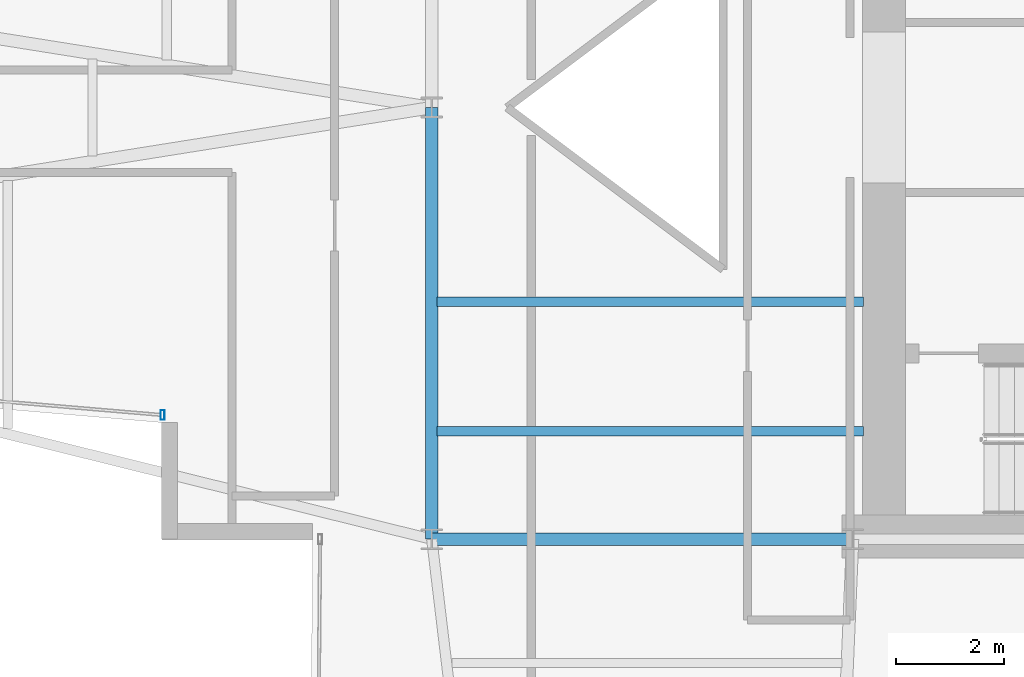
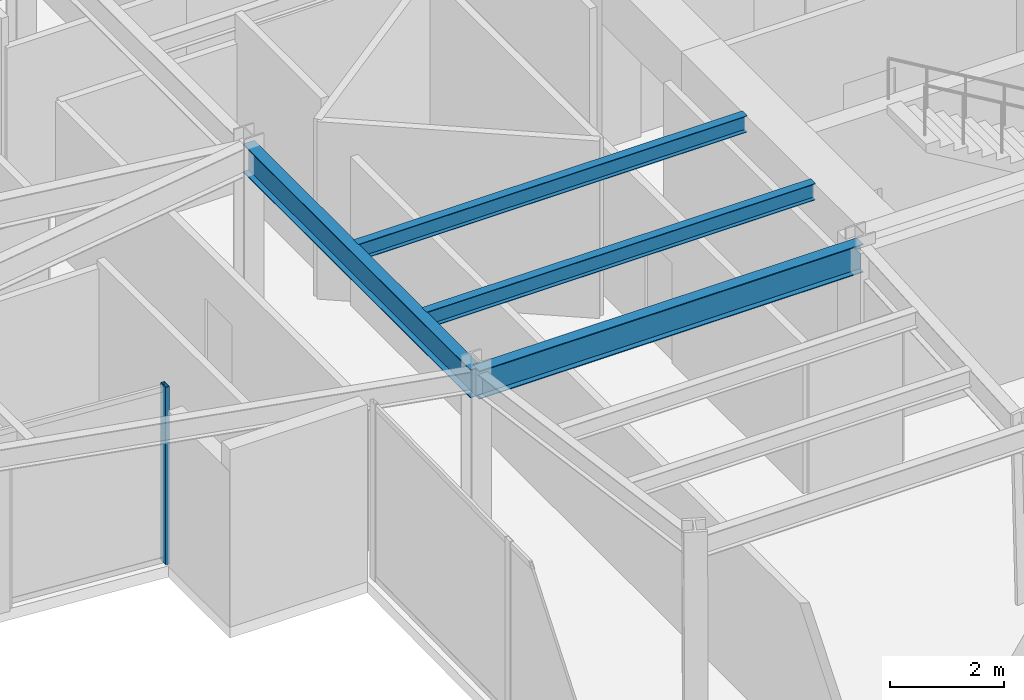
# One storey, part 5 of 25: 4 beams, 1 member, 1 element without a shape of its own.
"""IFC4 building model written with IfcOpenShell, lengths in metres."""

from ifc_helpers import new_model, si_unit, direction, frame, origin, origin_2d, place, context, subcontext, project, spatial, hollow_rectangle, i_section, extrude, material, layer, layer_set, material_profile, profile_set, type_object, element, aggregate, save


model = new_model("IFC4")

# Units and contexts
model_context = context("Model", 3, precision=1e-05, world=origin(), true_north=direction((0.0, 1.0)))
body_context = subcontext(model_context, "Body", "Model", "MODEL_VIEW")
ifc_project = project(units=[si_unit("LENGTHUNIT", "METRE"), si_unit("AREAUNIT", "SQUARE_METRE"), si_unit("VOLUMEUNIT", "CUBIC_METRE"), si_unit("PLANEANGLEUNIT", "RADIAN"), si_unit("MASSUNIT", "GRAM", prefix="KILO")], contexts=[model_context])

# Site, building, storey
site_placement = place(None, origin())
site = spatial("IfcSite", under=ifc_project, at=site_placement, CompositionType="ELEMENT")
building_placement = place(site_placement, origin())
building = spatial("IfcBuilding", under=site, at=building_placement, Name="Veymaron Broadcast Tower", CompositionType="ELEMENT")
storey_placement = place(building_placement, frame((0.0, 0.0, 149.25)))
storey = spatial("IfcBuildingStorey", under=building, at=storey_placement, Name="L34", CompositionType="ELEMENT", Elevation=149.25)

# Beams
ifc_material_1 = material(Name="Structural steel ASTM A992 Gr 50", Category="steel")
ifc_material_profile_1 = material_profile(ifc_material_1, i_section(OverallWidth=0.22802734375, OverallDepth=0.60791015625, WebThickness=0.01123046875, FlangeThickness=0.017333984375, at=origin_2d()), Name="W610X113")
ifc_profile_set_1 = profile_set([ifc_material_profile_1], Name="Structural steel ASTM A992 Gr 50")
beam_type_1 = type_object("IfcBeamType", Name="BM-FG2", PredefinedType="BEAM", material=ifc_profile_set_1)
beam_1_placement = place(storey_placement, frame((31.199951171875, 16.0, 3.506103515625), z_axis=(0.0, 1.0, 0.0), x_axis=(-1.0, 0.0, 0.0)))
element("IfcBeam", 1, at=beam_1_placement, inside=storey, type_object=beam_type_1, Name="L34 primary structural floor girder", PredefinedType="BEAM", context=body_context, shape_type="SweptSolid", body=[
    extrude(i_section(OverallWidth=0.22802734375, OverallDepth=0.60791015625, WebThickness=0.01123046875, FlangeThickness=0.017333984375, at=origin_2d()), origin(), (0.0, 0.0, 1.0), 8.0),
])
beam_2_placement = place(storey_placement, frame((31.199951171875, 16.0, 3.506103515625), z_axis=(1.0, 0.0, 0.0), x_axis=(0.0, 1.0, 0.0)))
element("IfcBeam", 2, at=beam_2_placement, inside=storey, type_object=beam_type_1, Name="L34 primary structural floor girder", PredefinedType="BEAM", context=body_context, shape_type="SweptSolid", body=[
    extrude(i_section(OverallWidth=0.22802734375, OverallDepth=0.60791015625, WebThickness=0.01123046875, FlangeThickness=0.017333984375, at=origin_2d()), origin(), (0.0, 0.0, 1.0), 7.800048828125),
])
ifc_material_profile_2 = material_profile(ifc_material_1, i_section(OverallWidth=0.1708984375, OverallDepth=0.35498046875, WebThickness=0.007080078125, FlangeThickness=0.01171875, at=origin_2d()), Name="W360X51")
ifc_profile_set_2 = profile_set([ifc_material_profile_2], Name="Structural steel ASTM A992 Gr 50")
beam_type_2 = type_object("IfcBeamType", Name="BM-JS2", PredefinedType="JOIST", material=ifc_profile_set_2)
for number, where, z_axis, x_axis, name in (
    (3, (31.300048828125, 18.0, 3.632568359375), (1.0, 0.0, 0.0), (0.0, 1.0, 0.0), "L34 Hub secondary joist 1"),
    (4, (31.300048828125, 20.39990234375, 3.632568359375), (1.0, 0.0, 0.0), (0.0, 1.0, 0.0), "L34 Hub secondary joist 2"),
):
    element("IfcBeam", number, at=place(storey_placement, frame(where, z_axis=z_axis, x_axis=x_axis)), inside=storey, type_object=beam_type_2, Name=name, PredefinedType="JOIST", context=body_context, shape_type="SweptSolid", body=[
        extrude(i_section(OverallWidth=0.1708984375, OverallDepth=0.35498046875, WebThickness=0.007080078125, FlangeThickness=0.01171875, at=origin_2d()), origin(), (0.0, 0.0, 1.0), 7.89990234375),
    ])

# Curtain wall, member
ifc_material_2 = material(Name="Anodised aluminium AA 6063-T6 and laminated low-E dark glass", Category="aluminium")
ifc_layer = layer(ifc_material_2, 0.179931640625)
ifc_layer_set = layer_set([ifc_layer], Name="Anodised aluminium AA 6063-T6 and laminated low-E dark glass")
curtain_wall_type = type_object("IfcCurtainWallType", Name="CW-SYS-03", PredefinedType="NOTDEFINED", material=ifc_layer_set)
curtain_wall_placement = place(storey_placement, origin())
curtain_wall = element("IfcCurtainWall", 5, at=curtain_wall_placement, inside=storey, type_object=curtain_wall_type, Name="L34 dark-glass curtain wall CW-L34-E14-1", PredefinedType="NOTDEFINED")
ifc_material_3 = material(Name="Anodised aluminium AA 6063-T6", Category="aluminium")
ifc_material_profile_3 = material_profile(ifc_material_3, hollow_rectangle(XDim=0.074951171875, YDim=0.179931640625, WallThickness=0.0048828125, at=origin_2d()), Name="AL180X75X5")
ifc_profile_set_3 = profile_set([ifc_material_profile_3], Name="Anodised aluminium AA 6063-T6")
member_type = type_object("IfcMemberType", Name="CW-MUL-02", PredefinedType="MULLION", material=ifc_profile_set_3)
member_placement = place(storey_placement, frame((26.2119140625, 18.301513671875, 0.0), z_axis=(0.0, 0.0, 1.0), x_axis=(1.0, 0.0, 0.0)))
member = element("IfcMember", 6, at=member_placement, type_object=member_type, Name="CW-L34-E14-1 mullion 2", PredefinedType="MULLION", context=body_context, shape_type="SweptSolid", body=[
    extrude(hollow_rectangle(XDim=0.074951171875, YDim=0.179931640625, WallThickness=0.0048828125, at=origin_2d()), origin(), (0.0, 0.0, 1.0), 3.81005859375),
])
aggregate(curtain_wall, [member])

save(model, "model.ifc")
